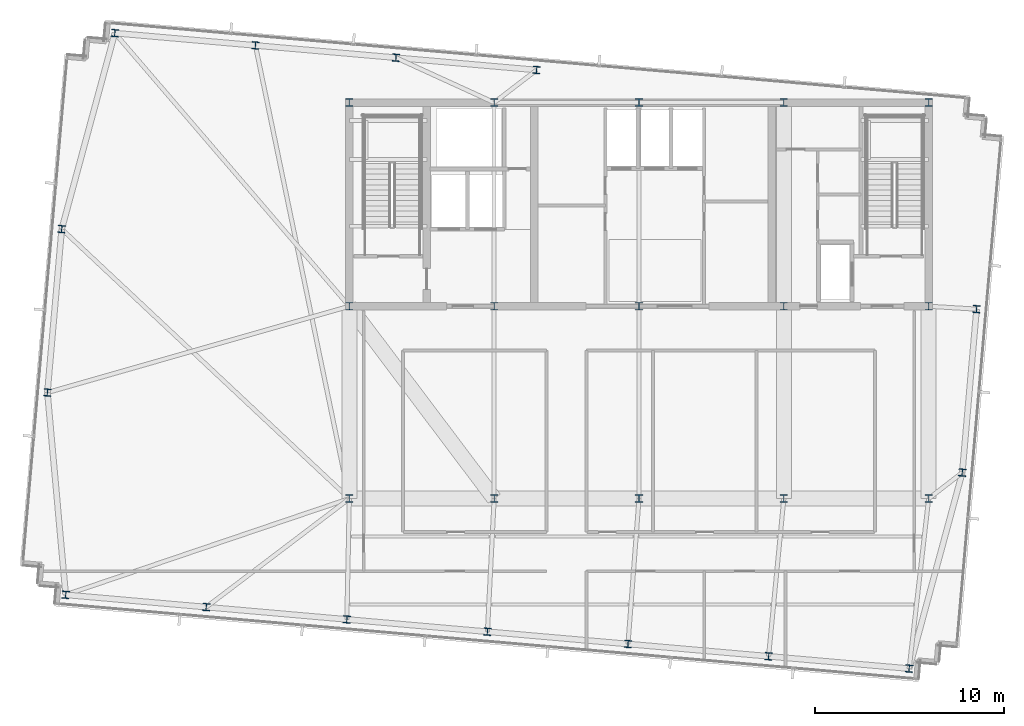
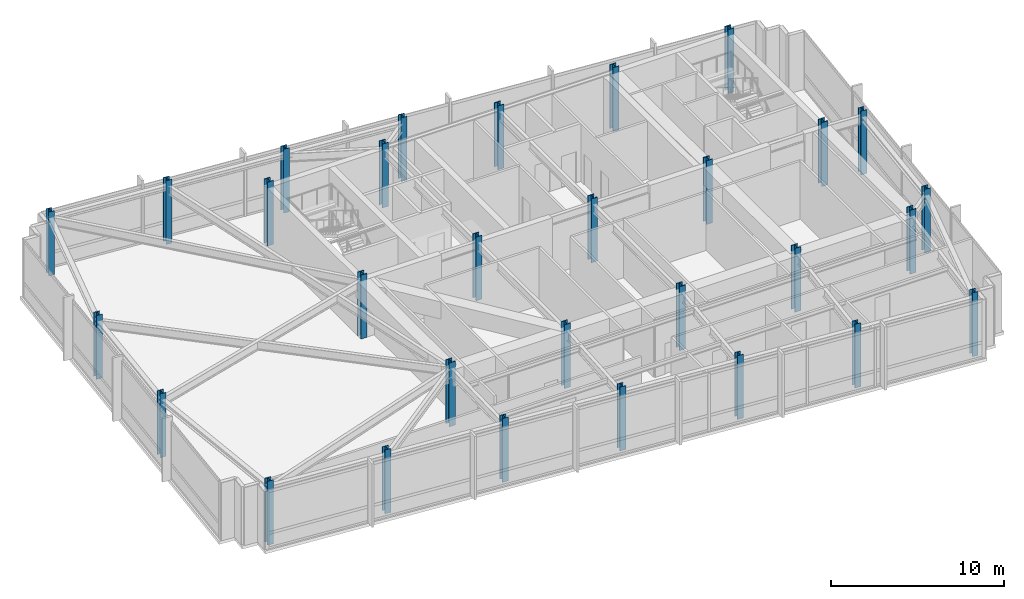
# One storey, part 1 of 25: 30 columns.
"""IFC4 building model written with IfcOpenShell, lengths in metres."""

import ifcopenshell
import ifcopenshell.guid

model = None  # the IFC model being written
_history = None  # IfcOwnerHistory: only IFC2X3 demands one
_inside = {}  # id of a spatial element -> (the spatial element, [elements in it])
_under = {}  # id of a project, library or spatial element -> (it, [spatial elements below it])
_declared = {}  # id of a project -> (the project, [libraries it declares])
_typed = {}  # id of a type object -> (the type object, [elements of that type])
_made_of = {}  # id of a material, layer set ... -> (it, [elements and type objects made of it])


def new_model(schema):
    """Start an empty IFC model of exactly this schema.

    Asked for "IFC4X3", IfcOpenShell would pick the latest addendum, in which some entities
    have other attributes; the version numbers below select the first issue.
    IFC2X3 requires an IfcOwnerHistory on every rooted entity: one is made here for all.
    """
    global model, _history
    if schema == "IFC4X3":
        model = ifcopenshell.file(schema_version=(4, 3, 0, 0))
    else:
        model = ifcopenshell.file(schema=schema)
    _inside.clear()
    _under.clear()
    _declared.clear()
    _typed.clear()
    _made_of.clear()
    _history = None
    if model.schema == "IFC2X3":
        org = make("IfcOrganization", Name="unknown")
        user = make(
            "IfcPersonAndOrganization",
            ThePerson=make("IfcPerson", FamilyName="unknown"),
            TheOrganization=org,
        )
        app = make(
            "IfcApplication",
            ApplicationDeveloper=org,
            Version="unknown",
            ApplicationFullName="unknown",
            ApplicationIdentifier="unknown",
        )
        _history = make(
            "IfcOwnerHistory",
            OwningUser=user,
            OwningApplication=app,
            ChangeAction="ADDED",
            CreationDate=0,
        )
    return model


def make(cls, **values):
    """One entity of the class cls with the attributes given. An attribute that is None is left unset."""
    return model.create_entity(
        cls, **{name: value for name, value in values.items() if value is not None}
    )


def rooted(cls, **values):
    """An entity with a GlobalId (a new one), such as an element, a storey or a relation."""
    return make(cls, GlobalId=ifcopenshell.guid.new(), OwnerHistory=_history, **values)


def si_unit(unit_type, name, prefix=None):
    """IfcSIUnit, for example si_unit("LENGTHUNIT", "METRE", prefix="MILLI")."""
    return make("IfcSIUnit", UnitType=unit_type, Prefix=prefix, Name=name)


def assignment(units):
    """IfcUnitAssignment: the units of a project."""
    return None if units is None else make("IfcUnitAssignment", Units=units)


def point(xyz):
    """IfcCartesianPoint."""
    return None if xyz is None else make("IfcCartesianPoint", Coordinates=xyz)


def direction(xyz):
    """IfcDirection."""
    return None if xyz is None else make("IfcDirection", DirectionRatios=xyz)


def frame(location, z_axis=None, x_axis=None):
    """IfcAxis2Placement3D, a coordinate frame: its origin and axes. An axis left out is left unset."""
    return make(
        "IfcAxis2Placement3D",
        Location=point(location),
        Axis=direction(z_axis),
        RefDirection=direction(x_axis),
    )


def frame_2d(location, x_axis=None):
    """IfcAxis2Placement2D, a coordinate frame in the plane: its origin and x axis."""
    return make(
        "IfcAxis2Placement2D", Location=point(location), RefDirection=direction(x_axis)
    )


def origin():
    """The frame at (0, 0, 0) with its axes left unset."""
    return frame((0.0, 0.0, 0.0))


def origin_2d():
    """The frame at (0, 0) in the plane with its x axis left unset."""
    return frame_2d((0.0, 0.0))


def place(relative_to, where):
    """IfcLocalPlacement: puts the frame where relative to a parent placement (None: the world)."""
    return make(
        "IfcLocalPlacement", PlacementRelTo=relative_to, RelativePlacement=where
    )


def context(
    kind, dimensions, precision=None, world=None, true_north=None, identifier=None
):
    """IfcGeometricRepresentationContext, for example the 3D "Model" context."""
    return make(
        "IfcGeometricRepresentationContext",
        ContextIdentifier=identifier,
        ContextType=kind,
        CoordinateSpaceDimension=dimensions,
        Precision=precision,
        WorldCoordinateSystem=world,
        TrueNorth=true_north,
    )


def subcontext(parent, identifier, kind, view, scale=None):
    """IfcGeometricRepresentationSubContext, for example "Body" below "Model"."""
    return make(
        "IfcGeometricRepresentationSubContext",
        ContextIdentifier=identifier,
        ContextType=kind,
        ParentContext=parent,
        TargetScale=scale,
        TargetView=view,
    )


def project(units=None, contexts=None):
    """IfcProject with its units and contexts."""
    return rooted(
        "IfcProject",
        Name="project",
        RepresentationContexts=contexts,
        UnitsInContext=assignment(units),
    )


def spatial(cls, under=None, at=None, **own):
    """A site, building, storey or space (cls), placed at a placement, below another one or the project."""
    s = rooted(cls, ObjectPlacement=at, **own)
    if under is not None:
        _under.setdefault(under.id(), (under, []))[1].append(s)
    return s


def profile(cls, at=None, kind="AREA", **sizes):
    """A parametric profile (cls). Its sizes go by their IFC names, for example OverallWidth=200.0."""
    return make(cls, ProfileType=kind, Position=at, **sizes)


def i_section(**sizes):
    """IfcIShapeProfileDef."""
    return profile("IfcIShapeProfileDef", **sizes)


def extrude(swept, where, along, depth):
    """IfcExtrudedAreaSolid: the profile swept, set in the frame where, extruded along a direction by depth."""
    return make(
        "IfcExtrudedAreaSolid",
        SweptArea=swept,
        Position=where,
        ExtrudedDirection=direction(along),
        Depth=depth,
    )


def shape(context_of_items, identifier, shape_type, items):
    """IfcShapeRepresentation: the items that make up one representation, for example the "Body"."""
    return make(
        "IfcShapeRepresentation",
        ContextOfItems=context_of_items,
        RepresentationIdentifier=identifier,
        RepresentationType=shape_type,
        Items=items,
    )


def material(Name=None, Category=None):
    """IfcMaterial."""
    return make("IfcMaterial", Name=Name, Category=Category)


def material_profile(
    of_material, cross_section, Name=None, Category=None, Priority=None
):
    """IfcMaterialProfile: a cross section and its material."""
    return make(
        "IfcMaterialProfile",
        Name=Name,
        Material=of_material,
        Profile=cross_section,
        Priority=Priority,
        Category=Category,
    )


def profile_set(profiles, Name=None, composite=None):
    """IfcMaterialProfileSet."""
    return make(
        "IfcMaterialProfileSet",
        Name=Name,
        MaterialProfiles=profiles,
        CompositeProfile=composite,
    )


def made_of(thing, what):
    """Note that an element or type object is made of a material, layer set ...; save() writes the relation."""
    if what is not None:
        _made_of.setdefault(what.id(), (what, []))[1].append(thing)
    return thing


def type_object(cls, material=None, **own):
    """A type object (cls), such as IfcWallType, which elements share."""
    return made_of(rooted(cls, **own), material)


def element(
    cls,
    number,
    at=None,
    inside=None,
    cuts=None,
    type_object=None,
    material=None,
    context=None,
    identifier="Body",
    shape_type=None,
    held_by="IfcProductDefinitionShape",
    body=None,
    shapes=None,
    **own,
):
    """One element of the class cls, such as IfcWall. Its Tag is "e" and its number.

    at: its placement. inside: the storey or other place that contains it. cuts: it is an
    opening in that element (IfcRelVoidsElement). A single representation is given by context,
    identifier, shape_type and body (its items); several are given by shapes. held_by: the class
    of the entity that holds the representations. save() writes the other relations.
    """
    e = rooted(cls, Tag="e%d" % number, ObjectPlacement=at, **own)
    if body is not None:
        shapes = [shape(context, identifier, shape_type, body)]
    if shapes is not None:
        e.Representation = make(held_by, Representations=shapes)
    if inside is not None:
        _inside.setdefault(inside.id(), (inside, []))[1].append(e)
    if cuts is not None:
        rooted(
            "IfcRelVoidsElement", RelatingBuildingElement=cuts, RelatedOpeningElement=e
        )
    if type_object is not None:
        _typed.setdefault(type_object.id(), (type_object, []))[1].append(e)
    return made_of(e, material)


def aggregate(whole, parts):
    """IfcRelAggregates: a whole, such as a stair, and the parts it consists of."""
    return rooted("IfcRelAggregates", RelatingObject=whole, RelatedObjects=parts)


def save(model, path):
    """Write the relations noted so far, then the file.

    IfcRelAggregates (storeys below a building ...), IfcRelContainedInSpatialStructure (elements
    in a storey), IfcRelDefinesByType, IfcRelAssociatesMaterial and IfcRelDeclares: one each for
    every whole, place, type object, material and project.
    """
    for whole, parts in _under.values():
        aggregate(whole, parts)
    for where, things in _inside.values():
        rooted(
            "IfcRelContainedInSpatialStructure",
            RelatedElements=things,
            RelatingStructure=where,
        )
    for kind, things in _typed.values():
        rooted("IfcRelDefinesByType", RelatedObjects=things, RelatingType=kind)
    for what, things in _made_of.values():
        rooted("IfcRelAssociatesMaterial", RelatedObjects=things, RelatingMaterial=what)
    for by, libraries in _declared.values():
        rooted("IfcRelDeclares", RelatingContext=by, RelatedDefinitions=libraries)
    model.write(path)


model = new_model("IFC4")

# Units and contexts
model_context = context("Model", 3, precision=1e-05, world=origin(), true_north=direction((0.0, 1.0)))
body_context = subcontext(model_context, "Body", "Model", "MODEL_VIEW")
ifc_project = project(units=[si_unit("LENGTHUNIT", "METRE"), si_unit("AREAUNIT", "SQUARE_METRE"), si_unit("VOLUMEUNIT", "CUBIC_METRE"), si_unit("PLANEANGLEUNIT", "RADIAN"), si_unit("MASSUNIT", "GRAM", prefix="KILO")], contexts=[model_context])

# Site, building, storey
site_placement = place(None, origin())
site = spatial("IfcSite", under=ifc_project, at=site_placement, CompositionType="ELEMENT")
building_placement = place(site_placement, origin())
building = spatial("IfcBuilding", under=site, at=building_placement, Name="Yelkora Congress Tower", CompositionType="ELEMENT")
storey_placement = place(building_placement, frame((0.0, 0.0, 299.89990234375)))
storey = spatial("IfcBuildingStorey", under=building, at=storey_placement, Name="L84", CompositionType="ELEMENT", Elevation=299.89990234375)

# Columns
ifc_material_1 = material(Name="Steel S355J2", Category="steel")
ifc_material_profile_1 = material_profile(ifc_material_1, i_section(OverallWidth=0.3779296875, OverallDepth=0.386962890625, WebThickness=0.0205078125, FlangeThickness=0.033203125, FilletRadius=0.014892578125, at=origin_2d()), Name="HD 360x262")
ifc_profile_set_1 = profile_set([ifc_material_profile_1], Name="Steel S355J2")
column_type_1 = type_object("IfcColumnType", Name="COL-HD-262-EXT", PredefinedType="COLUMN", material=ifc_profile_set_1)
for number, where, z_axis, x_axis, name in (
    (1, (7.998046875, 20.097900390625, 0.0), (0.0, 0.0, 1.0), (0.996194698092, -0.087155742748, 0.0), "L84 Perimeter Column S01"),
    (2, (15.452880859375, 19.445556640625, 0.0), (0.0, 0.0, 1.0), (0.996194698092, -0.087155742748, 0.0), "L84 Perimeter Column S02"),
    (3, (22.90771484375, 18.793212890625, 0.0), (0.0, 0.0, 1.0), (0.996194698092, -0.087155742748, 0.0), "L84 Perimeter Column S03"),
    (4, (30.362548828125, 18.14111328125, 0.0), (0.0, 0.0, 1.0), (0.996194698092, -0.087155742748, 0.0), "L84 Perimeter Column S04"),
    (5, (37.8173828125, 17.489013671875, 0.0), (0.0, 0.0, 1.0), (0.996194698092, -0.087155742748, 0.0), "L84 Perimeter Column S05"),
    (6, (45.2724609375, 16.836669921875, 0.0), (0.0, 0.0, 1.0), (0.996194698092, -0.087155742748, 0.0), "L84 Perimeter Column S06"),
    (7, (52.727294921875, 16.1845703125, 0.0), (0.0, 0.0, 1.0), (0.996194698092, -0.087155742748, 0.0), "L84 Perimeter Column S07"),
    (8, (10.60400390625, 49.884033203125, 0.0), (0.0, 0.0, 1.0), (0.996194698092, -0.087155742748, 0.0), "L84 Perimeter Column N01"),
    (9, (18.058837890625, 49.231689453125, 0.0), (0.0, 0.0, 1.0), (0.996194698092, -0.087155742748, 0.0), "L84 Perimeter Column N02"),
    (10, (25.513916015625, 48.57958984375, 0.0), (0.0, 0.0, 1.0), (0.996194698092, -0.087155742748, 0.0), "L84 Perimeter Column N03"),
    (11, (32.968505859375, 47.927490234375, 0.0), (0.0, 0.0, 1.0), (0.996194698092, -0.087155742748, 0.0), "L84 Perimeter Column N04"),
    (12, (7.029052734375, 30.822998046875, 0.0), (0.0, 0.0, 1.0), (0.996194698092, -0.087155742748, 0.0), "L84 Perimeter Column W01"),
    (13, (55.543701171875, 26.57861328125, 0.0), (0.0, 0.0, 1.0), (0.996194698092, -0.087155742748, 0.0), "L84 Perimeter Column E01"),
    (14, (7.787353515625, 39.489990234375, 0.0), (0.0, 0.0, 1.0), (0.996194698092, -0.087155742748, 0.0), "L84 Perimeter Column W02"),
    (15, (56.302001953125, 35.24560546875, 0.0), (0.0, 0.0, 1.0), (0.996194698092, -0.087155742748, 0.0), "L84 Perimeter Column E02"),
):
    element("IfcColumn", number, at=place(storey_placement, frame(where, z_axis=z_axis, x_axis=x_axis)), inside=storey, type_object=column_type_1, Name=name, PredefinedType="COLUMN", context=body_context, shape_type="SweptSolid", body=[
        extrude(i_section(OverallWidth=0.3779296875, OverallDepth=0.386962890625, WebThickness=0.0205078125, FlangeThickness=0.033203125, FilletRadius=0.014892578125, at=origin_2d()), origin(), (0.0, 0.0, 1.0), 4.5),
    ])
ifc_material_2 = material(Name="Steel S460M", Category="steel")
ifc_material_profile_2 = material_profile(ifc_material_2, i_section(OverallWidth=0.406005859375, OverallDepth=0.416015625, WebThickness=0.02978515625, FlangeThickness=0.048095703125, FilletRadius=0.014892578125, at=origin_2d()), Name="HD 400x382")
ifc_profile_set_2 = profile_set([ifc_material_profile_2], Name="Steel S460M")
column_type_2 = type_object("IfcColumnType", Name="COL-HD-382", PredefinedType="COLUMN", material=ifc_profile_set_2)
for number, where, z_axis, x_axis, name in (
    (16, (23.0400390625, 35.39990234375, 0.0), (0.0, 0.0, 1.0), (1.0, 0.0, 0.0), "L84 Mega Column MC-S1"),
    (17, (23.0400390625, 46.199951171875, 0.0), (0.0, 0.0, 1.0), (1.0, 0.0, 0.0), "L84 Mega Column MC-N1"),
    (18, (23.0400390625, 25.199951171875, 0.0), (0.0, 0.0, 1.0), (1.0, 0.0, 0.0), "L84 Mega Column MC-D1"),
    (19, (30.719970703125, 35.39990234375, 0.0), (0.0, 0.0, 1.0), (1.0, 0.0, 0.0), "L84 Mega Column MC-S2"),
    (20, (30.719970703125, 46.199951171875, 0.0), (0.0, 0.0, 1.0), (1.0, 0.0, 0.0), "L84 Mega Column MC-N2"),
    (21, (30.719970703125, 25.199951171875, 0.0), (0.0, 0.0, 1.0), (1.0, 0.0, 0.0), "L84 Mega Column MC-D2"),
    (22, (38.39990234375, 35.39990234375, 0.0), (0.0, 0.0, 1.0), (1.0, 0.0, 0.0), "L84 Mega Column MC-S3"),
    (23, (38.39990234375, 46.199951171875, 0.0), (0.0, 0.0, 1.0), (1.0, 0.0, 0.0), "L84 Mega Column MC-N3"),
    (24, (38.39990234375, 25.199951171875, 0.0), (0.0, 0.0, 1.0), (1.0, 0.0, 0.0), "L84 Mega Column MC-D3"),
    (25, (46.080078125, 35.39990234375, 0.0), (0.0, 0.0, 1.0), (1.0, 0.0, 0.0), "L84 Mega Column MC-S4"),
    (26, (46.080078125, 46.199951171875, 0.0), (0.0, 0.0, 1.0), (1.0, 0.0, 0.0), "L84 Mega Column MC-N4"),
    (27, (46.080078125, 25.199951171875, 0.0), (0.0, 0.0, 1.0), (1.0, 0.0, 0.0), "L84 Mega Column MC-D4"),
    (28, (53.760009765625, 35.39990234375, 0.0), (0.0, 0.0, 1.0), (1.0, 0.0, 0.0), "L84 Mega Column MC-S5"),
    (29, (53.760009765625, 46.199951171875, 0.0), (0.0, 0.0, 1.0), (1.0, 0.0, 0.0), "L84 Mega Column MC-N5"),
    (30, (53.760009765625, 25.199951171875, 0.0), (0.0, 0.0, 1.0), (1.0, 0.0, 0.0), "L84 Mega Column MC-D5"),
):
    element("IfcColumn", number, at=place(storey_placement, frame(where, z_axis=z_axis, x_axis=x_axis)), inside=storey, type_object=column_type_2, Name=name, PredefinedType="COLUMN", context=body_context, shape_type="SweptSolid", body=[
        extrude(i_section(OverallWidth=0.406005859375, OverallDepth=0.416015625, WebThickness=0.02978515625, FlangeThickness=0.048095703125, FilletRadius=0.014892578125, at=origin_2d()), origin(), (0.0, 0.0, 1.0), 4.5),
    ])

save(model, "model.ifc")
